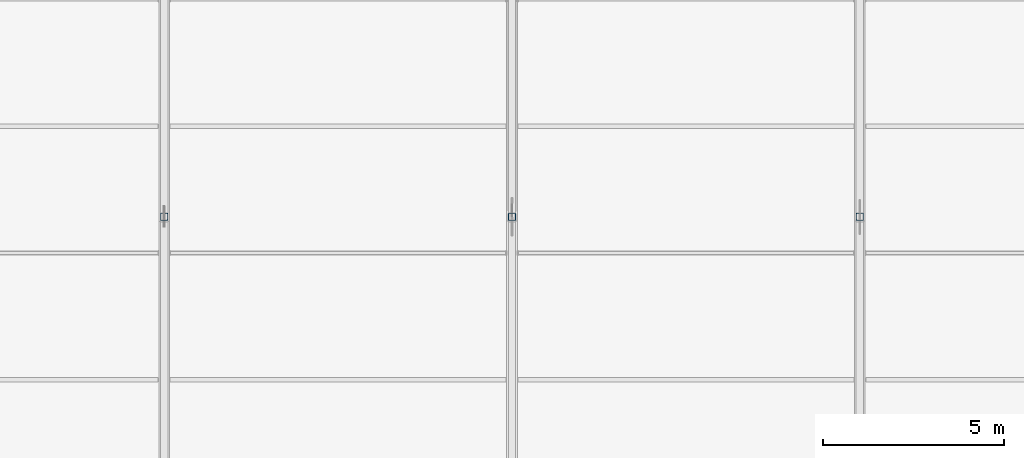
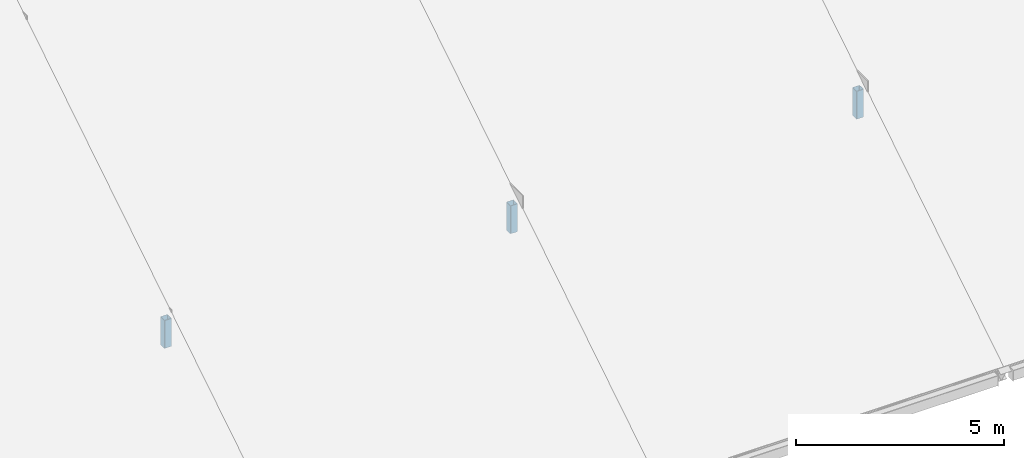
# One storey, part 21 of 66: 3 members.
"""IFC4 building model written with IfcOpenShell, lengths in metres."""

from ifc_helpers import new_model, si_unit, direction, frame, origin, origin_2d, place, context, subcontext, project, spatial, hollow_rectangle, extrude, material, material_profile, profile_set, type_object, element, save


model = new_model("IFC4")

# Units and contexts
model_context = context("Model", 3, precision=1e-05, world=origin(), true_north=direction((0.0, 1.0)))
body_context = subcontext(model_context, "Body", "Model", "MODEL_VIEW")
ifc_project = project(units=[si_unit("LENGTHUNIT", "METRE"), si_unit("AREAUNIT", "SQUARE_METRE"), si_unit("VOLUMEUNIT", "CUBIC_METRE"), si_unit("PLANEANGLEUNIT", "RADIAN"), si_unit("MASSUNIT", "GRAM", prefix="KILO")], contexts=[model_context])

# Site, building, storey
site_placement = place(None, origin())
site = spatial("IfcSite", under=ifc_project, at=site_placement, CompositionType="ELEMENT")
building_placement = place(site_placement, origin())
building = spatial("IfcBuilding", under=site, at=building_placement, Name="Yeouljin Market Hall", CompositionType="ELEMENT")
storey_placement = place(building_placement, frame((0.0, 0.0, 23.39990234375)))
storey = spatial("IfcBuildingStorey", under=building, at=storey_placement, Name="RF", CompositionType="ELEMENT", Elevation=23.39990234375)

# Members
ifc_material = material(Name="Steel SM355", Category="steel")
ifc_material_profile = material_profile(ifc_material, hollow_rectangle(XDim=0.199951171875, YDim=0.199951171875, WallThickness=0.008056640625, InnerFilletRadius=0.008056640625, OuterFilletRadius=0.01611328125, at=origin_2d()), Name="SHS-200x200x8")
ifc_profile_set = profile_set([ifc_material_profile], Name="Steel SM355")
member_type = type_object("IfcMemberType", Name="Strut_SHS-200x200x8", PredefinedType="STRUT", material=ifc_profile_set)
for number, where, z_axis, x_axis, name in (
    (1, (93.0, 43.0, -8.897705078125), (0.0, 0.0, 1.0), (1.0, 0.0, 0.0), "Truss AT-07 vertical strut 1"),
    (2, (102.60009765625, 43.0, -8.897705078125), (0.0, 0.0, 1.0), (1.0, 0.0, 0.0), "Truss AT-08 vertical strut 1"),
    (3, (112.199951171875, 43.0, -8.897705078125), (0.0, 0.0, 1.0), (1.0, 0.0, 0.0), "Truss AT-09 vertical strut 1"),
):
    element("IfcMember", number, at=place(storey_placement, frame(where, z_axis=z_axis, x_axis=x_axis)), inside=storey, type_object=member_type, Name=name, PredefinedType="STRUT", context=body_context, shape_type="SweptSolid", body=[
        extrude(hollow_rectangle(XDim=0.199951171875, YDim=0.199951171875, WallThickness=0.008056640625, InnerFilletRadius=0.008056640625, OuterFilletRadius=0.01611328125, at=origin_2d()), origin(), (0.0, 0.0, 1.0), 0.81787109375),
    ])

save(model, "model.ifc")
